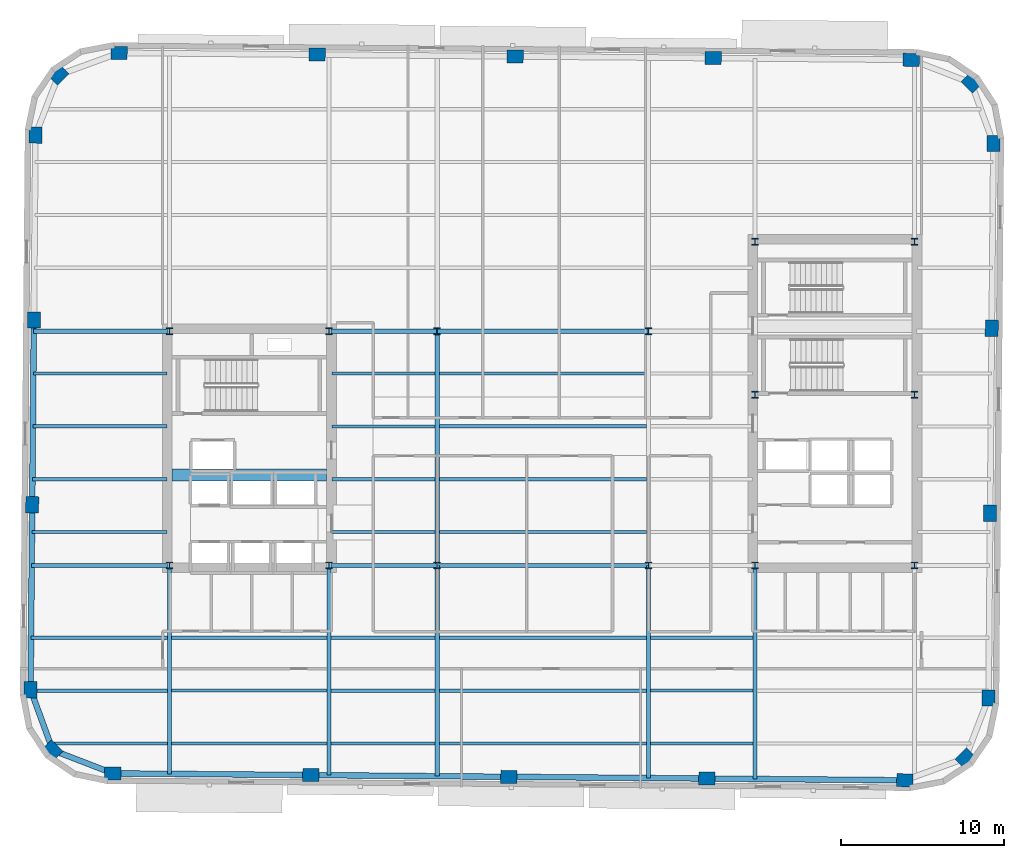
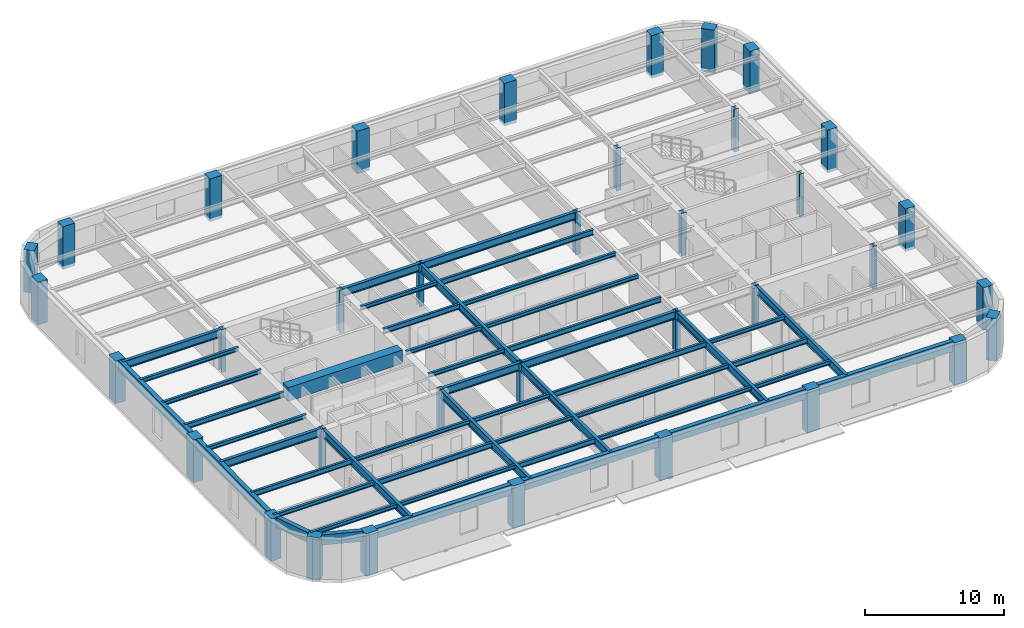
# One storey, part 1 of 11: 48 beams, 36 columns.
"""IFC4 building model written with IfcOpenShell, lengths in metres."""

import ifcopenshell
import ifcopenshell.guid

model = None  # the IFC model being written
_history = None  # IfcOwnerHistory: only IFC2X3 demands one
_inside = {}  # id of a spatial element -> (the spatial element, [elements in it])
_under = {}  # id of a project, library or spatial element -> (it, [spatial elements below it])
_declared = {}  # id of a project -> (the project, [libraries it declares])
_typed = {}  # id of a type object -> (the type object, [elements of that type])
_made_of = {}  # id of a material, layer set ... -> (it, [elements and type objects made of it])


def new_model(schema):
    """Start an empty IFC model of exactly this schema.

    Asked for "IFC4X3", IfcOpenShell would pick the latest addendum, in which some entities
    have other attributes; the version numbers below select the first issue.
    IFC2X3 requires an IfcOwnerHistory on every rooted entity: one is made here for all.
    """
    global model, _history
    if schema == "IFC4X3":
        model = ifcopenshell.file(schema_version=(4, 3, 0, 0))
    else:
        model = ifcopenshell.file(schema=schema)
    _inside.clear()
    _under.clear()
    _declared.clear()
    _typed.clear()
    _made_of.clear()
    _history = None
    if model.schema == "IFC2X3":
        org = make("IfcOrganization", Name="unknown")
        user = make(
            "IfcPersonAndOrganization",
            ThePerson=make("IfcPerson", FamilyName="unknown"),
            TheOrganization=org,
        )
        app = make(
            "IfcApplication",
            ApplicationDeveloper=org,
            Version="unknown",
            ApplicationFullName="unknown",
            ApplicationIdentifier="unknown",
        )
        _history = make(
            "IfcOwnerHistory",
            OwningUser=user,
            OwningApplication=app,
            ChangeAction="ADDED",
            CreationDate=0,
        )
    return model


def make(cls, **values):
    """One entity of the class cls with the attributes given. An attribute that is None is left unset."""
    return model.create_entity(
        cls, **{name: value for name, value in values.items() if value is not None}
    )


def rooted(cls, **values):
    """An entity with a GlobalId (a new one), such as an element, a storey or a relation."""
    return make(cls, GlobalId=ifcopenshell.guid.new(), OwnerHistory=_history, **values)


def si_unit(unit_type, name, prefix=None):
    """IfcSIUnit, for example si_unit("LENGTHUNIT", "METRE", prefix="MILLI")."""
    return make("IfcSIUnit", UnitType=unit_type, Prefix=prefix, Name=name)


def assignment(units):
    """IfcUnitAssignment: the units of a project."""
    return None if units is None else make("IfcUnitAssignment", Units=units)


def point(xyz):
    """IfcCartesianPoint."""
    return None if xyz is None else make("IfcCartesianPoint", Coordinates=xyz)


def direction(xyz):
    """IfcDirection."""
    return None if xyz is None else make("IfcDirection", DirectionRatios=xyz)


def frame(location, z_axis=None, x_axis=None):
    """IfcAxis2Placement3D, a coordinate frame: its origin and axes. An axis left out is left unset."""
    return make(
        "IfcAxis2Placement3D",
        Location=point(location),
        Axis=direction(z_axis),
        RefDirection=direction(x_axis),
    )


def frame_2d(location, x_axis=None):
    """IfcAxis2Placement2D, a coordinate frame in the plane: its origin and x axis."""
    return make(
        "IfcAxis2Placement2D", Location=point(location), RefDirection=direction(x_axis)
    )


def origin():
    """The frame at (0, 0, 0) with its axes left unset."""
    return frame((0.0, 0.0, 0.0))


def origin_2d():
    """The frame at (0, 0) in the plane with its x axis left unset."""
    return frame_2d((0.0, 0.0))


def place(relative_to, where):
    """IfcLocalPlacement: puts the frame where relative to a parent placement (None: the world)."""
    return make(
        "IfcLocalPlacement", PlacementRelTo=relative_to, RelativePlacement=where
    )


def context(
    kind, dimensions, precision=None, world=None, true_north=None, identifier=None
):
    """IfcGeometricRepresentationContext, for example the 3D "Model" context."""
    return make(
        "IfcGeometricRepresentationContext",
        ContextIdentifier=identifier,
        ContextType=kind,
        CoordinateSpaceDimension=dimensions,
        Precision=precision,
        WorldCoordinateSystem=world,
        TrueNorth=true_north,
    )


def subcontext(parent, identifier, kind, view, scale=None):
    """IfcGeometricRepresentationSubContext, for example "Body" below "Model"."""
    return make(
        "IfcGeometricRepresentationSubContext",
        ContextIdentifier=identifier,
        ContextType=kind,
        ParentContext=parent,
        TargetScale=scale,
        TargetView=view,
    )


def project(units=None, contexts=None):
    """IfcProject with its units and contexts."""
    return rooted(
        "IfcProject",
        Name="project",
        RepresentationContexts=contexts,
        UnitsInContext=assignment(units),
    )


def spatial(cls, under=None, at=None, **own):
    """A site, building, storey or space (cls), placed at a placement, below another one or the project."""
    s = rooted(cls, ObjectPlacement=at, **own)
    if under is not None:
        _under.setdefault(under.id(), (under, []))[1].append(s)
    return s


def profile(cls, at=None, kind="AREA", **sizes):
    """A parametric profile (cls). Its sizes go by their IFC names, for example OverallWidth=200.0."""
    return make(cls, ProfileType=kind, Position=at, **sizes)


def rectangle(**sizes):
    """IfcRectangleProfileDef."""
    return profile("IfcRectangleProfileDef", **sizes)


def hollow_rectangle(**sizes):
    """IfcRectangleHollowProfileDef."""
    return profile("IfcRectangleHollowProfileDef", **sizes)


def i_section(**sizes):
    """IfcIShapeProfileDef."""
    return profile("IfcIShapeProfileDef", **sizes)


def extrude(swept, where, along, depth):
    """IfcExtrudedAreaSolid: the profile swept, set in the frame where, extruded along a direction by depth."""
    return make(
        "IfcExtrudedAreaSolid",
        SweptArea=swept,
        Position=where,
        ExtrudedDirection=direction(along),
        Depth=depth,
    )


def shape(context_of_items, identifier, shape_type, items):
    """IfcShapeRepresentation: the items that make up one representation, for example the "Body"."""
    return make(
        "IfcShapeRepresentation",
        ContextOfItems=context_of_items,
        RepresentationIdentifier=identifier,
        RepresentationType=shape_type,
        Items=items,
    )


def material(Name=None, Category=None):
    """IfcMaterial."""
    return make("IfcMaterial", Name=Name, Category=Category)


def material_profile(
    of_material, cross_section, Name=None, Category=None, Priority=None
):
    """IfcMaterialProfile: a cross section and its material."""
    return make(
        "IfcMaterialProfile",
        Name=Name,
        Material=of_material,
        Profile=cross_section,
        Priority=Priority,
        Category=Category,
    )


def profile_set(profiles, Name=None, composite=None):
    """IfcMaterialProfileSet."""
    return make(
        "IfcMaterialProfileSet",
        Name=Name,
        MaterialProfiles=profiles,
        CompositeProfile=composite,
    )


def made_of(thing, what):
    """Note that an element or type object is made of a material, layer set ...; save() writes the relation."""
    if what is not None:
        _made_of.setdefault(what.id(), (what, []))[1].append(thing)
    return thing


def type_object(cls, material=None, **own):
    """A type object (cls), such as IfcWallType, which elements share."""
    return made_of(rooted(cls, **own), material)


def element(
    cls,
    number,
    at=None,
    inside=None,
    cuts=None,
    type_object=None,
    material=None,
    context=None,
    identifier="Body",
    shape_type=None,
    held_by="IfcProductDefinitionShape",
    body=None,
    shapes=None,
    **own,
):
    """One element of the class cls, such as IfcWall. Its Tag is "e" and its number.

    at: its placement. inside: the storey or other place that contains it. cuts: it is an
    opening in that element (IfcRelVoidsElement). A single representation is given by context,
    identifier, shape_type and body (its items); several are given by shapes. held_by: the class
    of the entity that holds the representations. save() writes the other relations.
    """
    e = rooted(cls, Tag="e%d" % number, ObjectPlacement=at, **own)
    if body is not None:
        shapes = [shape(context, identifier, shape_type, body)]
    if shapes is not None:
        e.Representation = make(held_by, Representations=shapes)
    if inside is not None:
        _inside.setdefault(inside.id(), (inside, []))[1].append(e)
    if cuts is not None:
        rooted(
            "IfcRelVoidsElement", RelatingBuildingElement=cuts, RelatedOpeningElement=e
        )
    if type_object is not None:
        _typed.setdefault(type_object.id(), (type_object, []))[1].append(e)
    return made_of(e, material)


def aggregate(whole, parts):
    """IfcRelAggregates: a whole, such as a stair, and the parts it consists of."""
    return rooted("IfcRelAggregates", RelatingObject=whole, RelatedObjects=parts)


def save(model, path):
    """Write the relations noted so far, then the file.

    IfcRelAggregates (storeys below a building ...), IfcRelContainedInSpatialStructure (elements
    in a storey), IfcRelDefinesByType, IfcRelAssociatesMaterial and IfcRelDeclares: one each for
    every whole, place, type object, material and project.
    """
    for whole, parts in _under.values():
        aggregate(whole, parts)
    for where, things in _inside.values():
        rooted(
            "IfcRelContainedInSpatialStructure",
            RelatedElements=things,
            RelatingStructure=where,
        )
    for kind, things in _typed.values():
        rooted("IfcRelDefinesByType", RelatedObjects=things, RelatingType=kind)
    for what, things in _made_of.values():
        rooted("IfcRelAssociatesMaterial", RelatedObjects=things, RelatingMaterial=what)
    for by, libraries in _declared.values():
        rooted("IfcRelDeclares", RelatingContext=by, RelatedDefinitions=libraries)
    model.write(path)


model = new_model("IFC4")

# Units and contexts
model_context = context("Model", 3, precision=1e-05, world=origin(), true_north=direction((0.0, 1.0)))
body_context = subcontext(model_context, "Body", "Model", "MODEL_VIEW")
ifc_project = project(units=[si_unit("LENGTHUNIT", "METRE"), si_unit("AREAUNIT", "SQUARE_METRE"), si_unit("VOLUMEUNIT", "CUBIC_METRE"), si_unit("PLANEANGLEUNIT", "RADIAN"), si_unit("MASSUNIT", "GRAM", prefix="KILO")], contexts=[model_context])

# Site, building, storey
site_placement = place(None, origin())
site = spatial("IfcSite", under=ifc_project, at=site_placement, CompositionType="ELEMENT")
building_placement = place(site_placement, origin())
building = spatial("IfcBuilding", under=site, at=building_placement, Name="Kolvaren Arena Tower", CompositionType="ELEMENT")
storey_placement = place(building_placement, frame((0.0, 0.0, 184.699951171875)))
storey = spatial("IfcBuildingStorey", under=building, at=storey_placement, Name="L44", CompositionType="ELEMENT", Elevation=184.699951171875)

# Columns
ifc_material_1 = material(Name="Precast concrete C60/75", Category="concrete")
ifc_material_profile_1 = material_profile(ifc_material_1, rectangle(XDim=1.0, YDim=0.800048828125, at=origin_2d()), Name="RC-1000x800")
ifc_profile_set_1 = profile_set([ifc_material_profile_1], Name="Precast concrete C60/75")
column_type_1 = type_object("IfcColumnType", Name="EXCOL-Z3", PredefinedType="COLUMN", material=ifc_profile_set_1)
for number, where, z_axis, x_axis, name in (
    (1, (11.0576171875, 6.663330078125, -0.27001953125), (0.0, 0.0, 1.0), (0.999961923064, -0.008726535498, 0.0), "Exoskeleton Perimeter Column 01 (L44)"),
    (2, (23.232177734375, 6.55712890625, -0.27001953125), (0.0, 0.0, 1.0), (0.999961923064, -0.008726535498, 0.0), "Exoskeleton Perimeter Column 02 (L44)"),
    (3, (35.40673828125, 6.45068359375, -0.27001953125), (0.0, 0.0, 1.0), (0.999961923064, -0.008726535498, 0.0), "Exoskeleton Perimeter Column 03 (L44)"),
    (4, (47.581298828125, 6.344482421875, -0.27001953125), (0.0, 0.0, 1.0), (0.999961923064, -0.008726535498, 0.0), "Exoskeleton Perimeter Column 04 (L44)"),
    (5, (59.755859375, 6.23828125, -0.27001953125), (0.0, 0.0, 1.0), (0.999961923064, -0.008726535498, 0.0), "Exoskeleton Perimeter Column 05 (L44)"),
    (6, (63.4765625, 7.59716796875, -0.27001953125), (0.0, 0.0, 1.0), (0.713250449154, 0.7009092643, 0.0), "Exoskeleton Perimeter Column 06 (L44)"),
    (7, (64.900146484375, 11.293701171875, -0.27001953125), (0.0, 0.0, 1.0), (0.008726535498, 0.999961923064, 0.0), "Exoskeleton Perimeter Column 07 (L44)"),
    (8, (64.999267578125, 22.659912109375, -0.27001953125), (0.0, 0.0, 1.0), (0.008726535498, 0.999961923064, 0.0), "Exoskeleton Perimeter Column 08 (L44)"),
    (9, (65.098388671875, 34.026123046875, -0.27001953125), (0.0, 0.0, 1.0), (0.008726535498, 0.999961923064, 0.0), "Exoskeleton Perimeter Column 09 (L44)"),
    (10, (65.19775390625, 45.392333984375, -0.27001953125), (0.0, 0.0, 1.0), (0.008726535498, 0.999961923064, 0.0), "Exoskeleton Perimeter Column 10 (L44)"),
    (11, (63.8388671875, 49.113037109375, -0.27001953125), (0.0, 0.0, 1.0), (-0.7009092643, 0.713250449154, 0.0), "Exoskeleton Perimeter Column 11 (L44)"),
    (12, (60.142333984375, 50.53662109375, -0.27001953125), (0.0, 0.0, 1.0), (0.999961923064, -0.008726535498, 0.0), "Exoskeleton Perimeter Column 12 (L44)"),
    (13, (47.9677734375, 50.642822265625, -0.27001953125), (0.0, 0.0, 1.0), (0.999961923064, -0.008726535498, 0.0), "Exoskeleton Perimeter Column 13 (L44)"),
    (14, (35.793212890625, 50.749267578125, -0.27001953125), (0.0, 0.0, 1.0), (0.999961923064, -0.008726535498, 0.0), "Exoskeleton Perimeter Column 14 (L44)"),
    (15, (23.618896484375, 50.85546875, -0.27001953125), (0.0, 0.0, 1.0), (0.999961923064, -0.008726535498, 0.0), "Exoskeleton Perimeter Column 15 (L44)"),
    (16, (11.444091796875, 50.961669921875, -0.27001953125), (0.0, 0.0, 1.0), (0.999961923064, -0.008726535498, 0.0), "Exoskeleton Perimeter Column 16 (L44)"),
    (17, (7.723388671875, 49.602783203125, -0.27001953125), (0.0, 0.0, 1.0), (0.713250449154, 0.7009092643, 0.0), "Exoskeleton Perimeter Column 17 (L44)"),
    (18, (6.2998046875, 45.90625, -0.27001953125), (0.0, 0.0, 1.0), (0.008726535498, 0.999961923064, 0.0), "Exoskeleton Perimeter Column 18 (L44)"),
    (19, (6.20068359375, 34.5400390625, -0.27001953125), (0.0, 0.0, 1.0), (0.008726535498, 0.999961923064, 0.0), "Exoskeleton Perimeter Column 19 (L44)"),
    (20, (6.1015625, 23.173828125, -0.27001953125), (0.0, 0.0, 1.0), (0.008726535498, 0.999961923064, 0.0), "Exoskeleton Perimeter Column 20 (L44)"),
    (21, (6.002197265625, 11.8076171875, -0.27001953125), (0.0, 0.0, 1.0), (0.008726535498, 0.999961923064, 0.0), "Exoskeleton Perimeter Column 21 (L44)"),
    (22, (7.361083984375, 8.0869140625, -0.27001953125), (0.0, 0.0, 1.0), (-0.7009092643, 0.713250449154, 0.0), "Exoskeleton Perimeter Column 22 (L44)"),
):
    element("IfcColumn", number, at=place(storey_placement, frame(where, z_axis=z_axis, x_axis=x_axis)), inside=storey, type_object=column_type_1, Name=name, PredefinedType="COLUMN", context=body_context, shape_type="SweptSolid", body=[
        extrude(rectangle(XDim=1.0, YDim=0.800048828125, at=origin_2d()), origin(), (0.0, 0.0, 1.0), 3.75),
    ])
ifc_material_2 = material(Name="Steel ASTM A913 Grade 65", Category="steel")
ifc_material_profile_2 = material_profile(ifc_material_2, i_section(OverallWidth=0.406005859375, OverallDepth=0.416015625, WebThickness=0.02978515625, FlangeThickness=0.048095703125, FilletRadius=0.02001953125, at=origin_2d()), Name="W360x382")
ifc_profile_set_2 = profile_set([ifc_material_profile_2], Name="Steel ASTM A913 Grade 65")
column_type_2 = type_object("IfcColumnType", Name="SCOL-Z3", PredefinedType="COLUMN", material=ifc_profile_set_2)
for number, where, z_axis, x_axis, name in (
    (23, (14.550048828125, 19.449951171875, -0.27001953125), (0.0, 0.0, 1.0), (1.0, 0.0, 0.0), "Core Boundary Column WC-SW (L44)"),
    (24, (24.35009765625, 19.449951171875, -0.27001953125), (0.0, 0.0, 1.0), (1.0, 0.0, 0.0), "Core Boundary Column WC-SE (L44)"),
    (25, (14.550048828125, 33.85009765625, -0.27001953125), (0.0, 0.0, 1.0), (1.0, 0.0, 0.0), "Core Boundary Column WC-NW (L44)"),
    (26, (24.35009765625, 33.85009765625, -0.27001953125), (0.0, 0.0, 1.0), (1.0, 0.0, 0.0), "Core Boundary Column WC-NE (L44)"),
    (27, (50.550048828125, 19.449951171875, -0.27001953125), (0.0, 0.0, 1.0), (1.0, 0.0, 0.0), "Core Boundary Column EC-SW (L44)"),
    (28, (60.35009765625, 19.449951171875, -0.27001953125), (0.0, 0.0, 1.0), (1.0, 0.0, 0.0), "Core Boundary Column EC-SE (L44)"),
    (29, (50.550048828125, 29.949951171875, -0.27001953125), (0.0, 0.0, 1.0), (1.0, 0.0, 0.0), "Core Boundary Column EC-MW (L44)"),
    (30, (60.35009765625, 29.949951171875, -0.27001953125), (0.0, 0.0, 1.0), (1.0, 0.0, 0.0), "Core Boundary Column EC-ME (L44)"),
    (31, (50.550048828125, 39.35009765625, -0.27001953125), (0.0, 0.0, 1.0), (1.0, 0.0, 0.0), "Core Boundary Column EC-NW (L44)"),
    (32, (60.35009765625, 39.35009765625, -0.27001953125), (0.0, 0.0, 1.0), (1.0, 0.0, 0.0), "Core Boundary Column EC-NE (L44)"),
    (33, (31.0, 19.449951171875, -0.27001953125), (0.0, 0.0, 1.0), (1.0, 0.0, 0.0), "Interior Gravity Column TC-SW (L44)"),
    (34, (44.0, 19.449951171875, -0.27001953125), (0.0, 0.0, 1.0), (1.0, 0.0, 0.0), "Interior Gravity Column TC-SE (L44)"),
    (35, (31.0, 33.85009765625, -0.27001953125), (0.0, 0.0, 1.0), (1.0, 0.0, 0.0), "Interior Gravity Column TC-NW (L44)"),
    (36, (44.0, 33.85009765625, -0.27001953125), (0.0, 0.0, 1.0), (1.0, 0.0, 0.0), "Interior Gravity Column TC-NE (L44)"),
):
    element("IfcColumn", number, at=place(storey_placement, frame(where, z_axis=z_axis, x_axis=x_axis)), inside=storey, type_object=column_type_2, Name=name, PredefinedType="COLUMN", context=body_context, shape_type="SweptSolid", body=[
        extrude(i_section(OverallWidth=0.406005859375, OverallDepth=0.416015625, WebThickness=0.02978515625, FlangeThickness=0.048095703125, FilletRadius=0.02001953125, at=origin_2d()), origin(), (0.0, 0.0, 1.0), 3.75),
    ])

# Beams
ifc_material_3 = material(Name="Steel CSA G40.21 350W", Category="steel")
ifc_material_profile_3 = material_profile(ifc_material_3, i_section(OverallWidth=0.193115234375, OverallDepth=0.462890625, WebThickness=0.0107421875, FlangeThickness=0.0205078125, FilletRadius=0.012939453125, at=origin_2d()), Name="W460x113")
ifc_profile_set_3 = profile_set([ifc_material_profile_3], Name="Steel CSA G40.21 350W")
beam_type_1 = type_object("IfcBeamType", Name="BEAM-F2", PredefinedType="BEAM", material=ifc_profile_set_3)
beam_1_placement = place(storey_placement, frame((24.4775390625, 8.5, 3.24853515625), z_axis=(1.0, 0.0, 0.0), x_axis=(0.0, 1.0, 0.0)))
element("IfcBeam", 37, at=beam_1_placement, inside=storey, type_object=beam_type_1, Name="Composite Floor Beam (L44)", PredefinedType="BEAM", context=body_context, shape_type="SweptSolid", body=[
    extrude(i_section(OverallWidth=0.193115234375, OverallDepth=0.462890625, WebThickness=0.0107421875, FlangeThickness=0.0205078125, FilletRadius=0.012939453125, at=origin_2d()), origin(), (0.0, 0.0, 1.0), 6.39501953125),
])
beam_2_placement = place(storey_placement, frame((14.677490234375, 11.75, 3.24853515625), z_axis=(1.0, 0.0, 0.0), x_axis=(0.0, 1.0, 0.0)))
element("IfcBeam", 38, at=beam_2_placement, inside=storey, type_object=beam_type_1, Name="Composite Floor Beam (L44)", PredefinedType="BEAM", context=body_context, shape_type="SweptSolid", body=[
    extrude(i_section(OverallWidth=0.193115234375, OverallDepth=0.462890625, WebThickness=0.0107421875, FlangeThickness=0.0205078125, FilletRadius=0.012939453125, at=origin_2d()), origin(), (0.0, 0.0, 1.0), 9.544921875),
])
beam_3_placement = place(storey_placement, frame((44.12744140625, 11.75, 3.24853515625), z_axis=(1.0, 0.0, 0.0), x_axis=(0.0, 1.0, 0.0)))
element("IfcBeam", 39, at=beam_3_placement, inside=storey, type_object=beam_type_1, Name="Composite Floor Beam (L44)", PredefinedType="BEAM", context=body_context, shape_type="SweptSolid", body=[
    extrude(i_section(OverallWidth=0.193115234375, OverallDepth=0.462890625, WebThickness=0.0107421875, FlangeThickness=0.0205078125, FilletRadius=0.012939453125, at=origin_2d()), origin(), (0.0, 0.0, 1.0), 6.295166015625),
])
beam_4_placement = place(storey_placement, frame((6.0302734375, 15.0, 3.24853515625), z_axis=(1.0, 0.0, 0.0), x_axis=(0.0, 1.0, 0.0)))
element("IfcBeam", 40, at=beam_4_placement, inside=storey, type_object=beam_type_1, Name="Composite Floor Beam (L44)", PredefinedType="BEAM", context=body_context, shape_type="SweptSolid", body=[
    extrude(i_section(OverallWidth=0.193115234375, OverallDepth=0.462890625, WebThickness=0.0107421875, FlangeThickness=0.0205078125, FilletRadius=0.012939453125, at=origin_2d()), origin(), (0.0, 0.0, 1.0), 8.392333984375),
])
for number, where, z_axis, x_axis, name in (
    (41, (31.12744140625, 15.0, 3.24853515625), (1.0, 0.0, 0.0), (0.0, 1.0, 0.0), "Composite Floor Beam (L44)"),
    (42, (31.12744140625, 21.5, 3.24853515625), (1.0, 0.0, 0.0), (0.0, 1.0, 0.0), "Composite Floor Beam (L44)"),
):
    element("IfcBeam", number, at=place(storey_placement, frame(where, z_axis=z_axis, x_axis=x_axis)), inside=storey, type_object=beam_type_1, Name=name, PredefinedType="BEAM", context=body_context, shape_type="SweptSolid", body=[
        extrude(i_section(OverallWidth=0.193115234375, OverallDepth=0.462890625, WebThickness=0.0107421875, FlangeThickness=0.0205078125, FilletRadius=0.012939453125, at=origin_2d()), origin(), (0.0, 0.0, 1.0), 12.7451171875),
    ])
beam_5_placement = place(storey_placement, frame((6.115234375, 24.75, 3.24853515625), z_axis=(1.0, 0.0, 0.0), x_axis=(0.0, 1.0, 0.0)))
element("IfcBeam", 43, at=beam_5_placement, inside=storey, type_object=beam_type_1, Name="Composite Floor Beam (L44)", PredefinedType="BEAM", context=body_context, shape_type="SweptSolid", body=[
    extrude(i_section(OverallWidth=0.193115234375, OverallDepth=0.462890625, WebThickness=0.0107421875, FlangeThickness=0.0205078125, FilletRadius=0.012939453125, at=origin_2d()), origin(), (0.0, 0.0, 1.0), 8.2646484375),
])
beam_6_placement = place(storey_placement, frame((24.52001953125, 28.0, 3.24853515625), z_axis=(1.0, 0.0, 0.0), x_axis=(0.0, 1.0, 0.0)))
element("IfcBeam", 44, at=beam_6_placement, inside=storey, type_object=beam_type_1, Name="Composite Floor Beam (L44)", PredefinedType="BEAM", context=body_context, shape_type="SweptSolid", body=[
    extrude(i_section(OverallWidth=0.193115234375, OverallDepth=0.462890625, WebThickness=0.0107421875, FlangeThickness=0.0205078125, FilletRadius=0.012939453125, at=origin_2d()), origin(), (0.0, 0.0, 1.0), 6.3525390625),
])
beam_7_placement = place(storey_placement, frame((31.12744140625, 31.25, 3.24853515625), z_axis=(1.0, 0.0, 0.0), x_axis=(0.0, 1.0, 0.0)))
element("IfcBeam", 45, at=beam_7_placement, inside=storey, type_object=beam_type_1, Name="Composite Floor Beam (L44)", PredefinedType="BEAM", context=body_context, shape_type="SweptSolid", body=[
    extrude(i_section(OverallWidth=0.193115234375, OverallDepth=0.462890625, WebThickness=0.0107421875, FlangeThickness=0.0205078125, FilletRadius=0.012939453125, at=origin_2d()), origin(), (0.0, 0.0, 1.0), 12.7451171875),
])
ifc_material_4 = material(Name="Concrete 60 MPa", Category="concrete")
ifc_material_profile_4 = material_profile(ifc_material_4, rectangle(XDim=0.75, YDim=1.199951171875, at=origin_2d()), Name="RC-750x1200")
ifc_profile_set_4 = profile_set([ifc_material_profile_4], Name="Concrete 60 MPa")
beam_type_2 = type_object("IfcBeamType", Name="CB-CORE-2", PredefinedType="BEAM", material=ifc_profile_set_4)
beam_8_placement = place(storey_placement, frame((14.699951171875, 25.0, 3.150146484375), z_axis=(1.0, 0.0, 0.0), x_axis=(0.0, 1.0, 0.0)))
element("IfcBeam", 46, at=beam_8_placement, inside=storey, type_object=beam_type_2, Name="West Core Coupling Beam (L44)", PredefinedType="BEAM", context=body_context, shape_type="SweptSolid", body=[
    extrude(rectangle(XDim=0.75, YDim=1.199951171875, at=origin_2d()), origin(), (0.0, 0.0, 1.0), 9.5),
])
ifc_material_profile_5 = material_profile(ifc_material_3, i_section(OverallWidth=0.2548828125, OverallDepth=0.695068359375, WebThickness=0.01708984375, FlangeThickness=0.02978515625, FilletRadius=0.01611328125, at=origin_2d()), Name="W690x217")
ifc_profile_set_5 = profile_set([ifc_material_profile_5], Name="Steel CSA G40.21 350W")
beam_type_3 = type_object("IfcBeamType", Name="GIRD-T2", PredefinedType="BEAM", material=ifc_profile_set_5)
beam_9_placement = place(storey_placement, frame((6.069091796875, 19.449951171875, 3.132568359375), z_axis=(1.0, 0.0, 0.0), x_axis=(0.0, 1.0, 0.0)))
element("IfcBeam", 47, at=beam_9_placement, inside=storey, type_object=beam_type_3, Name="Primary Floor Girder (L44)", PredefinedType="BEAM", context=body_context, shape_type="SweptSolid", body=[
    extrude(i_section(OverallWidth=0.2548828125, OverallDepth=0.695068359375, WebThickness=0.01708984375, FlangeThickness=0.02978515625, FilletRadius=0.01611328125, at=origin_2d()), origin(), (0.0, 0.0, 1.0), 8.350830078125),
])
beam_10_placement = place(storey_placement, frame((24.47998046875, 19.449951171875, 3.132568359375), z_axis=(1.0, 0.0, 0.0), x_axis=(0.0, 1.0, 0.0)))
element("IfcBeam", 48, at=beam_10_placement, inside=storey, type_object=beam_type_3, Name="Primary Floor Girder (L44)", PredefinedType="BEAM", context=body_context, shape_type="SweptSolid", body=[
    extrude(i_section(OverallWidth=0.2548828125, OverallDepth=0.695068359375, WebThickness=0.01708984375, FlangeThickness=0.02978515625, FilletRadius=0.01611328125, at=origin_2d()), origin(), (0.0, 0.0, 1.0), 6.52001953125),
])
beam_11_placement = place(storey_placement, frame((31.0, 19.449951171875, 3.132568359375), z_axis=(1.0, 0.0, 0.0), x_axis=(0.0, 1.0, 0.0)))
element("IfcBeam", 49, at=beam_11_placement, inside=storey, type_object=beam_type_3, Name="Primary Floor Girder (L44)", PredefinedType="BEAM", context=body_context, shape_type="SweptSolid", body=[
    extrude(i_section(OverallWidth=0.2548828125, OverallDepth=0.695068359375, WebThickness=0.01708984375, FlangeThickness=0.02978515625, FilletRadius=0.01611328125, at=origin_2d()), origin(), (0.0, 0.0, 1.0), 13.0),
])
beam_12_placement = place(storey_placement, frame((6.194580078125, 33.85009765625, 3.132568359375), z_axis=(1.0, 0.0, 0.0), x_axis=(0.0, 1.0, 0.0)))
element("IfcBeam", 50, at=beam_12_placement, inside=storey, type_object=beam_type_3, Name="Primary Floor Girder (L44)", PredefinedType="BEAM", context=body_context, shape_type="SweptSolid", body=[
    extrude(i_section(OverallWidth=0.2548828125, OverallDepth=0.695068359375, WebThickness=0.01708984375, FlangeThickness=0.02978515625, FilletRadius=0.01611328125, at=origin_2d()), origin(), (0.0, 0.0, 1.0), 8.225341796875),
])
beam_13_placement = place(storey_placement, frame((24.47998046875, 33.85009765625, 3.132568359375), z_axis=(1.0, 0.0, 0.0), x_axis=(0.0, 1.0, 0.0)))
element("IfcBeam", 51, at=beam_13_placement, inside=storey, type_object=beam_type_3, Name="Primary Floor Girder (L44)", PredefinedType="BEAM", context=body_context, shape_type="SweptSolid", body=[
    extrude(i_section(OverallWidth=0.2548828125, OverallDepth=0.695068359375, WebThickness=0.01708984375, FlangeThickness=0.02978515625, FilletRadius=0.01611328125, at=origin_2d()), origin(), (0.0, 0.0, 1.0), 6.52001953125),
])
beam_14_placement = place(storey_placement, frame((31.0, 33.85009765625, 3.132568359375), z_axis=(1.0, 0.0, 0.0), x_axis=(0.0, 1.0, 0.0)))
element("IfcBeam", 52, at=beam_14_placement, inside=storey, type_object=beam_type_3, Name="Primary Floor Girder (L44)", PredefinedType="BEAM", context=body_context, shape_type="SweptSolid", body=[
    extrude(i_section(OverallWidth=0.2548828125, OverallDepth=0.695068359375, WebThickness=0.01708984375, FlangeThickness=0.02978515625, FilletRadius=0.01611328125, at=origin_2d()), origin(), (0.0, 0.0, 1.0), 13.0),
])
beam_15_placement = place(storey_placement, frame((14.550048828125, 6.6328125, 3.132568359375), z_axis=(0.0, 1.0, 0.0), x_axis=(-1.0, 0.0, 0.0)))
element("IfcBeam", 53, at=beam_15_placement, inside=storey, type_object=beam_type_3, Name="Primary Floor Girder (L44)", PredefinedType="BEAM", context=body_context, shape_type="SweptSolid", body=[
    extrude(i_section(OverallWidth=0.2548828125, OverallDepth=0.695068359375, WebThickness=0.01708984375, FlangeThickness=0.02978515625, FilletRadius=0.01611328125, at=origin_2d()), origin(), (0.0, 0.0, 1.0), 12.687255859375),
])
beam_16_placement = place(storey_placement, frame((24.35009765625, 6.54736328125, 3.132568359375), z_axis=(0.0, 1.0, 0.0), x_axis=(-1.0, 0.0, 0.0)))
element("IfcBeam", 54, at=beam_16_placement, inside=storey, type_object=beam_type_3, Name="Primary Floor Girder (L44)", PredefinedType="BEAM", context=body_context, shape_type="SweptSolid", body=[
    extrude(i_section(OverallWidth=0.2548828125, OverallDepth=0.695068359375, WebThickness=0.01708984375, FlangeThickness=0.02978515625, FilletRadius=0.01611328125, at=origin_2d()), origin(), (0.0, 0.0, 1.0), 12.772705078125),
])
beam_17_placement = place(storey_placement, frame((31.0, 6.4892578125, 3.132568359375), z_axis=(0.0, 1.0, 0.0), x_axis=(-1.0, 0.0, 0.0)))
element("IfcBeam", 55, at=beam_17_placement, inside=storey, type_object=beam_type_3, Name="Primary Floor Girder (L44)", PredefinedType="BEAM", context=body_context, shape_type="SweptSolid", body=[
    extrude(i_section(OverallWidth=0.2548828125, OverallDepth=0.695068359375, WebThickness=0.01708984375, FlangeThickness=0.02978515625, FilletRadius=0.01611328125, at=origin_2d()), origin(), (0.0, 0.0, 1.0), 12.960693359375),
])
beam_18_placement = place(storey_placement, frame((31.0, 19.449951171875, 3.132568359375), z_axis=(0.0, 1.0, 0.0), x_axis=(-1.0, 0.0, 0.0)))
element("IfcBeam", 56, at=beam_18_placement, inside=storey, type_object=beam_type_3, Name="Primary Floor Girder (L44)", PredefinedType="BEAM", context=body_context, shape_type="SweptSolid", body=[
    extrude(i_section(OverallWidth=0.2548828125, OverallDepth=0.695068359375, WebThickness=0.01708984375, FlangeThickness=0.02978515625, FilletRadius=0.01611328125, at=origin_2d()), origin(), (0.0, 0.0, 1.0), 14.400146484375),
])
beam_19_placement = place(storey_placement, frame((44.0, 6.375732421875, 3.132568359375), z_axis=(0.0, 1.0, 0.0), x_axis=(-1.0, 0.0, 0.0)))
element("IfcBeam", 57, at=beam_19_placement, inside=storey, type_object=beam_type_3, Name="Primary Floor Girder (L44)", PredefinedType="BEAM", context=body_context, shape_type="SweptSolid", body=[
    extrude(i_section(OverallWidth=0.2548828125, OverallDepth=0.695068359375, WebThickness=0.01708984375, FlangeThickness=0.02978515625, FilletRadius=0.01611328125, at=origin_2d()), origin(), (0.0, 0.0, 1.0), 13.07421875),
])
beam_20_placement = place(storey_placement, frame((50.550048828125, 6.318603515625, 3.132568359375), z_axis=(0.0, 1.0, 0.0), x_axis=(-1.0, 0.0, 0.0)))
element("IfcBeam", 58, at=beam_20_placement, inside=storey, type_object=beam_type_3, Name="Primary Floor Girder (L44)", PredefinedType="BEAM", context=body_context, shape_type="SweptSolid", body=[
    extrude(i_section(OverallWidth=0.2548828125, OverallDepth=0.695068359375, WebThickness=0.01708984375, FlangeThickness=0.02978515625, FilletRadius=0.01611328125, at=origin_2d()), origin(), (0.0, 0.0, 1.0), 13.00146484375),
])
ifc_material_profile_6 = material_profile(ifc_material_3, i_section(OverallWidth=0.202880859375, OverallDepth=0.346923828125, WebThickness=0.0078125, FlangeThickness=0.013427734375, FilletRadius=0.010986328125, at=origin_2d()), Name="W360x64")
ifc_profile_set_6 = profile_set([ifc_material_profile_6], Name="Steel CSA G40.21 350W")
beam_type_4 = type_object("IfcBeamType", Name="JOIST-01", PredefinedType="JOIST", material=ifc_profile_set_6)
beam_21_placement = place(storey_placement, frame((7.210205078125, 8.5, 3.306640625), z_axis=(1.0, 0.0, 0.0), x_axis=(0.0, 1.0, 0.0)))
element("IfcBeam", 59, at=beam_21_placement, inside=storey, type_object=beam_type_4, Name="Composite Floor Joist (L44)", PredefinedType="JOIST", context=body_context, shape_type="SweptSolid", body=[
    extrude(i_section(OverallWidth=0.202880859375, OverallDepth=0.346923828125, WebThickness=0.0078125, FlangeThickness=0.013427734375, FilletRadius=0.010986328125, at=origin_2d()), origin(), (0.0, 0.0, 1.0), 7.21240234375),
])
beam_22_placement = place(storey_placement, frame((14.677490234375, 8.5, 3.306640625), z_axis=(1.0, 0.0, 0.0), x_axis=(0.0, 1.0, 0.0)))
element("IfcBeam", 60, at=beam_22_placement, inside=storey, type_object=beam_type_4, Name="Composite Floor Joist (L44)", PredefinedType="JOIST", context=body_context, shape_type="SweptSolid", body=[
    extrude(i_section(OverallWidth=0.202880859375, OverallDepth=0.346923828125, WebThickness=0.0078125, FlangeThickness=0.013427734375, FilletRadius=0.010986328125, at=origin_2d()), origin(), (0.0, 0.0, 1.0), 9.544921875),
])
beam_23_placement = place(storey_placement, frame((31.12744140625, 8.5, 3.306640625), z_axis=(1.0, 0.0, 0.0), x_axis=(0.0, 1.0, 0.0)))
element("IfcBeam", 61, at=beam_23_placement, inside=storey, type_object=beam_type_4, Name="Composite Floor Joist (L44)", PredefinedType="JOIST", context=body_context, shape_type="SweptSolid", body=[
    extrude(i_section(OverallWidth=0.202880859375, OverallDepth=0.346923828125, WebThickness=0.0078125, FlangeThickness=0.013427734375, FilletRadius=0.010986328125, at=origin_2d()), origin(), (0.0, 0.0, 1.0), 12.7451171875),
])
beam_24_placement = place(storey_placement, frame((44.12744140625, 8.5, 3.306640625), z_axis=(1.0, 0.0, 0.0), x_axis=(0.0, 1.0, 0.0)))
element("IfcBeam", 62, at=beam_24_placement, inside=storey, type_object=beam_type_4, Name="Composite Floor Joist (L44)", PredefinedType="JOIST", context=body_context, shape_type="SweptSolid", body=[
    extrude(i_section(OverallWidth=0.202880859375, OverallDepth=0.346923828125, WebThickness=0.0078125, FlangeThickness=0.013427734375, FilletRadius=0.010986328125, at=origin_2d()), origin(), (0.0, 0.0, 1.0), 6.295166015625),
])
beam_25_placement = place(storey_placement, frame((6.023193359375, 11.75, 3.306640625), z_axis=(1.0, 0.0, 0.0), x_axis=(0.0, 1.0, 0.0)))
element("IfcBeam", 63, at=beam_25_placement, inside=storey, type_object=beam_type_4, Name="Composite Floor Joist (L44)", PredefinedType="JOIST", context=body_context, shape_type="SweptSolid", body=[
    extrude(i_section(OverallWidth=0.202880859375, OverallDepth=0.346923828125, WebThickness=0.0078125, FlangeThickness=0.013427734375, FilletRadius=0.010986328125, at=origin_2d()), origin(), (0.0, 0.0, 1.0), 8.3994140625),
])
beam_26_placement = place(storey_placement, frame((24.4775390625, 11.75, 3.306640625), z_axis=(1.0, 0.0, 0.0), x_axis=(0.0, 1.0, 0.0)))
element("IfcBeam", 64, at=beam_26_placement, inside=storey, type_object=beam_type_4, Name="Composite Floor Joist (L44)", PredefinedType="JOIST", context=body_context, shape_type="SweptSolid", body=[
    extrude(i_section(OverallWidth=0.202880859375, OverallDepth=0.346923828125, WebThickness=0.0078125, FlangeThickness=0.013427734375, FilletRadius=0.010986328125, at=origin_2d()), origin(), (0.0, 0.0, 1.0), 6.39501953125),
])
beam_27_placement = place(storey_placement, frame((31.12744140625, 11.75, 3.306640625), z_axis=(1.0, 0.0, 0.0), x_axis=(0.0, 1.0, 0.0)))
element("IfcBeam", 65, at=beam_27_placement, inside=storey, type_object=beam_type_4, Name="Composite Floor Joist (L44)", PredefinedType="JOIST", context=body_context, shape_type="SweptSolid", body=[
    extrude(i_section(OverallWidth=0.202880859375, OverallDepth=0.346923828125, WebThickness=0.0078125, FlangeThickness=0.013427734375, FilletRadius=0.010986328125, at=origin_2d()), origin(), (0.0, 0.0, 1.0), 12.7451171875),
])
beam_28_placement = place(storey_placement, frame((14.677490234375, 15.0, 3.306640625), z_axis=(1.0, 0.0, 0.0), x_axis=(0.0, 1.0, 0.0)))
element("IfcBeam", 66, at=beam_28_placement, inside=storey, type_object=beam_type_4, Name="Composite Floor Joist (L44)", PredefinedType="JOIST", context=body_context, shape_type="SweptSolid", body=[
    extrude(i_section(OverallWidth=0.202880859375, OverallDepth=0.346923828125, WebThickness=0.0078125, FlangeThickness=0.013427734375, FilletRadius=0.010986328125, at=origin_2d()), origin(), (0.0, 0.0, 1.0), 9.544921875),
])
beam_29_placement = place(storey_placement, frame((24.4775390625, 15.0, 3.306640625), z_axis=(1.0, 0.0, 0.0), x_axis=(0.0, 1.0, 0.0)))
element("IfcBeam", 67, at=beam_29_placement, inside=storey, type_object=beam_type_4, Name="Composite Floor Joist (L44)", PredefinedType="JOIST", context=body_context, shape_type="SweptSolid", body=[
    extrude(i_section(OverallWidth=0.202880859375, OverallDepth=0.346923828125, WebThickness=0.0078125, FlangeThickness=0.013427734375, FilletRadius=0.010986328125, at=origin_2d()), origin(), (0.0, 0.0, 1.0), 6.39501953125),
])
beam_30_placement = place(storey_placement, frame((44.12744140625, 15.0, 3.306640625), z_axis=(1.0, 0.0, 0.0), x_axis=(0.0, 1.0, 0.0)))
element("IfcBeam", 68, at=beam_30_placement, inside=storey, type_object=beam_type_4, Name="Composite Floor Joist (L44)", PredefinedType="JOIST", context=body_context, shape_type="SweptSolid", body=[
    extrude(i_section(OverallWidth=0.202880859375, OverallDepth=0.346923828125, WebThickness=0.0078125, FlangeThickness=0.013427734375, FilletRadius=0.010986328125, at=origin_2d()), origin(), (0.0, 0.0, 1.0), 6.295166015625),
])
beam_31_placement = place(storey_placement, frame((6.0869140625, 21.5, 3.306640625), z_axis=(1.0, 0.0, 0.0), x_axis=(0.0, 1.0, 0.0)))
element("IfcBeam", 69, at=beam_31_placement, inside=storey, type_object=beam_type_4, Name="Composite Floor Joist (L44)", PredefinedType="JOIST", context=body_context, shape_type="SweptSolid", body=[
    extrude(i_section(OverallWidth=0.202880859375, OverallDepth=0.346923828125, WebThickness=0.0078125, FlangeThickness=0.013427734375, FilletRadius=0.010986328125, at=origin_2d()), origin(), (0.0, 0.0, 1.0), 8.29296875),
])
for number, where, z_axis, x_axis, name in (
    (70, (24.52001953125, 21.5, 3.306640625), (1.0, 0.0, 0.0), (0.0, 1.0, 0.0), "Composite Floor Joist (L44)"),
    (71, (24.52001953125, 24.75, 3.306640625), (1.0, 0.0, 0.0), (0.0, 1.0, 0.0), "Composite Floor Joist (L44)"),
):
    element("IfcBeam", number, at=place(storey_placement, frame(where, z_axis=z_axis, x_axis=x_axis)), inside=storey, type_object=beam_type_4, Name=name, PredefinedType="JOIST", context=body_context, shape_type="SweptSolid", body=[
        extrude(i_section(OverallWidth=0.202880859375, OverallDepth=0.346923828125, WebThickness=0.0078125, FlangeThickness=0.013427734375, FilletRadius=0.010986328125, at=origin_2d()), origin(), (0.0, 0.0, 1.0), 6.3525390625),
    ])
beam_32_placement = place(storey_placement, frame((31.12744140625, 24.75, 3.306640625), z_axis=(1.0, 0.0, 0.0), x_axis=(0.0, 1.0, 0.0)))
element("IfcBeam", 72, at=beam_32_placement, inside=storey, type_object=beam_type_4, Name="Composite Floor Joist (L44)", PredefinedType="JOIST", context=body_context, shape_type="SweptSolid", body=[
    extrude(i_section(OverallWidth=0.202880859375, OverallDepth=0.346923828125, WebThickness=0.0078125, FlangeThickness=0.013427734375, FilletRadius=0.010986328125, at=origin_2d()), origin(), (0.0, 0.0, 1.0), 12.7451171875),
])
beam_33_placement = place(storey_placement, frame((6.1435546875, 28.0, 3.306640625), z_axis=(1.0, 0.0, 0.0), x_axis=(0.0, 1.0, 0.0)))
element("IfcBeam", 73, at=beam_33_placement, inside=storey, type_object=beam_type_4, Name="Composite Floor Joist (L44)", PredefinedType="JOIST", context=body_context, shape_type="SweptSolid", body=[
    extrude(i_section(OverallWidth=0.202880859375, OverallDepth=0.346923828125, WebThickness=0.0078125, FlangeThickness=0.013427734375, FilletRadius=0.010986328125, at=origin_2d()), origin(), (0.0, 0.0, 1.0), 8.236328125),
])
beam_34_placement = place(storey_placement, frame((31.12744140625, 28.0, 3.306640625), z_axis=(1.0, 0.0, 0.0), x_axis=(0.0, 1.0, 0.0)))
element("IfcBeam", 74, at=beam_34_placement, inside=storey, type_object=beam_type_4, Name="Composite Floor Joist (L44)", PredefinedType="JOIST", context=body_context, shape_type="SweptSolid", body=[
    extrude(i_section(OverallWidth=0.202880859375, OverallDepth=0.346923828125, WebThickness=0.0078125, FlangeThickness=0.013427734375, FilletRadius=0.010986328125, at=origin_2d()), origin(), (0.0, 0.0, 1.0), 12.7451171875),
])
beam_35_placement = place(storey_placement, frame((6.172119140625, 31.25, 3.306640625), z_axis=(1.0, 0.0, 0.0), x_axis=(0.0, 1.0, 0.0)))
element("IfcBeam", 75, at=beam_35_placement, inside=storey, type_object=beam_type_4, Name="Composite Floor Joist (L44)", PredefinedType="JOIST", context=body_context, shape_type="SweptSolid", body=[
    extrude(i_section(OverallWidth=0.202880859375, OverallDepth=0.346923828125, WebThickness=0.0078125, FlangeThickness=0.013427734375, FilletRadius=0.010986328125, at=origin_2d()), origin(), (0.0, 0.0, 1.0), 8.207763671875),
])
beam_36_placement = place(storey_placement, frame((24.52001953125, 31.25, 3.306640625), z_axis=(1.0, 0.0, 0.0), x_axis=(0.0, 1.0, 0.0)))
element("IfcBeam", 76, at=beam_36_placement, inside=storey, type_object=beam_type_4, Name="Composite Floor Joist (L44)", PredefinedType="JOIST", context=body_context, shape_type="SweptSolid", body=[
    extrude(i_section(OverallWidth=0.202880859375, OverallDepth=0.346923828125, WebThickness=0.0078125, FlangeThickness=0.013427734375, FilletRadius=0.010986328125, at=origin_2d()), origin(), (0.0, 0.0, 1.0), 6.3525390625),
])
ifc_material_5 = material(Name="Steel CSA G40.21 350WT", Category="steel")
ifc_material_profile_7 = material_profile(ifc_material_5, hollow_rectangle(XDim=0.35009765625, YDim=0.89990234375, WallThickness=0.02001953125, at=origin_2d()), Name="HSS 900x350x20")
ifc_profile_set_7 = profile_set([ifc_material_profile_7], Name="Steel CSA G40.21 350WT")
beam_type_5 = type_object("IfcBeamType", Name="SPAND-01", PredefinedType="SPANDREL", material=ifc_profile_set_7)
for number, where, z_axis, x_axis, name in (
    (77, (11.0576171875, 6.663330078125, 3.030029296875), (0.99996195503, -0.008722871848, 0.0), (0.008722871848, 0.99996195503, 0.0), "Perimeter Spandrel Beam (L44)"),
    (78, (23.232177734375, 6.55712890625, 3.030029296875), (0.999961779919, -0.008742922896, 0.0), (0.008742922896, 0.999961779919, 0.0), "Perimeter Spandrel Beam (L44)"),
    (79, (35.40673828125, 6.45068359375, 3.030029296875), (0.99996195503, -0.008722871848, 0.0), (0.008722871848, 0.99996195503, 0.0), "Perimeter Spandrel Beam (L44)"),
    (80, (47.581298828125, 6.344482421875, 3.030029296875), (0.99996195503, -0.008722871848, 0.0), (0.008722871848, 0.99996195503, 0.0), "Perimeter Spandrel Beam (L44)"),
):
    element("IfcBeam", number, at=place(storey_placement, frame(where, z_axis=z_axis, x_axis=x_axis)), inside=storey, type_object=beam_type_5, Name=name, PredefinedType="SPANDREL", context=body_context, shape_type="SweptSolid", body=[
        extrude(hollow_rectangle(XDim=0.35009765625, YDim=0.89990234375, WallThickness=0.02001953125, at=origin_2d()), origin(), (0.0, 0.0, 1.0), 12.175048828125),
    ])
for number, where, z_axis, x_axis, name in (
    (81, (6.20068359375, 34.5400390625, 3.030029296875), (-0.008720348885, -0.999961977035, 0.0), (0.999961977035, -0.008720348885, 0.0), "Perimeter Spandrel Beam (L44)"),
    (82, (6.1015625, 23.173828125, 3.030029296875), (-0.008741825937, -0.99996178951, 0.0), (0.99996178951, -0.008741825937, 0.0), "Perimeter Spandrel Beam (L44)"),
):
    element("IfcBeam", number, at=place(storey_placement, frame(where, z_axis=z_axis, x_axis=x_axis)), inside=storey, type_object=beam_type_5, Name=name, PredefinedType="SPANDREL", context=body_context, shape_type="SweptSolid", body=[
        extrude(hollow_rectangle(XDim=0.35009765625, YDim=0.89990234375, WallThickness=0.02001953125, at=origin_2d()), origin(), (0.0, 0.0, 1.0), 11.36669921875),
    ])
for number, where, z_axis, x_axis, name in (
    (83, (6.002197265625, 11.8076171875, 3.030029296875), (0.343059102458, -0.939313819882, 0.0), (0.939313819882, 0.343059102458, 0.0), "Perimeter Spandrel Beam (L44)"),
    (84, (7.361083984375, 8.0869140625, 3.030029296875), (0.933189846698, -0.359383792094, 0.0), (0.359383792094, 0.933189846698, 0.0), "Perimeter Spandrel Beam (L44)"),
):
    element("IfcBeam", number, at=place(storey_placement, frame(where, z_axis=z_axis, x_axis=x_axis)), inside=storey, type_object=beam_type_5, Name=name, PredefinedType="SPANDREL", context=body_context, shape_type="SweptSolid", body=[
        extrude(hollow_rectangle(XDim=0.35009765625, YDim=0.89990234375, WallThickness=0.02001953125, at=origin_2d()), origin(), (0.0, 0.0, 1.0), 3.961181640625),
    ])

save(model, "model.ifc")
